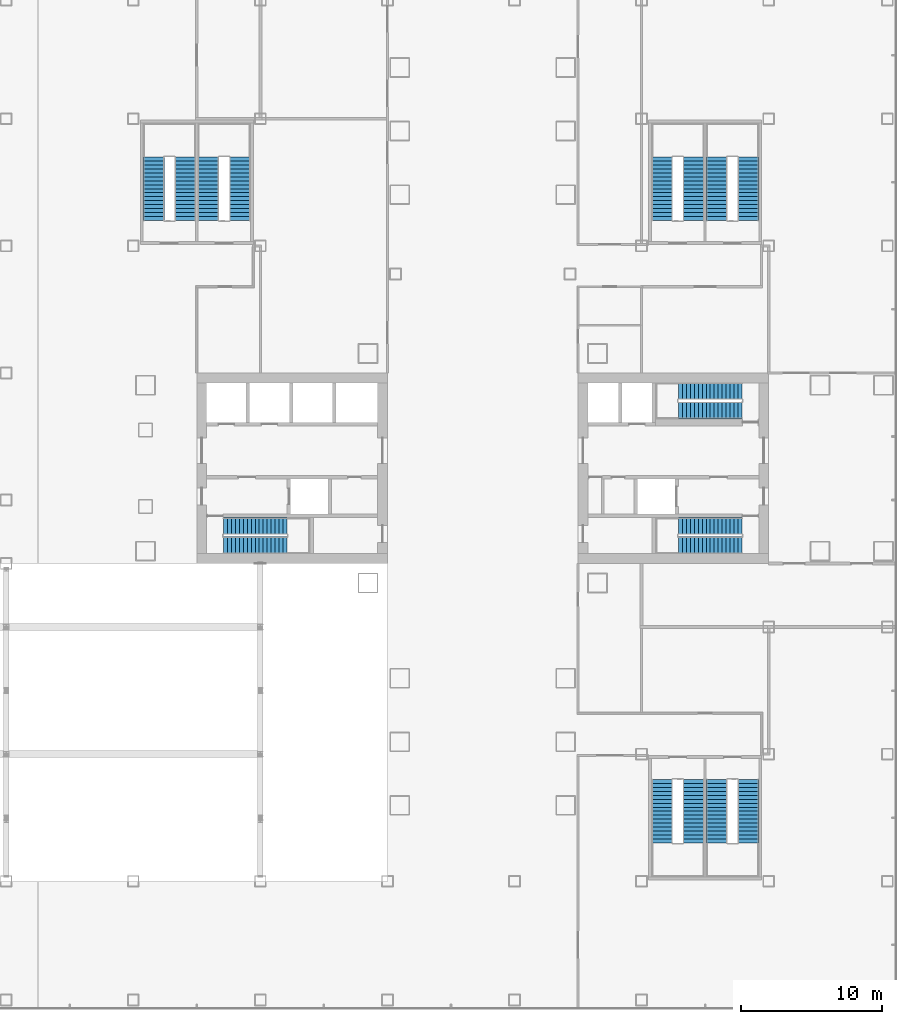
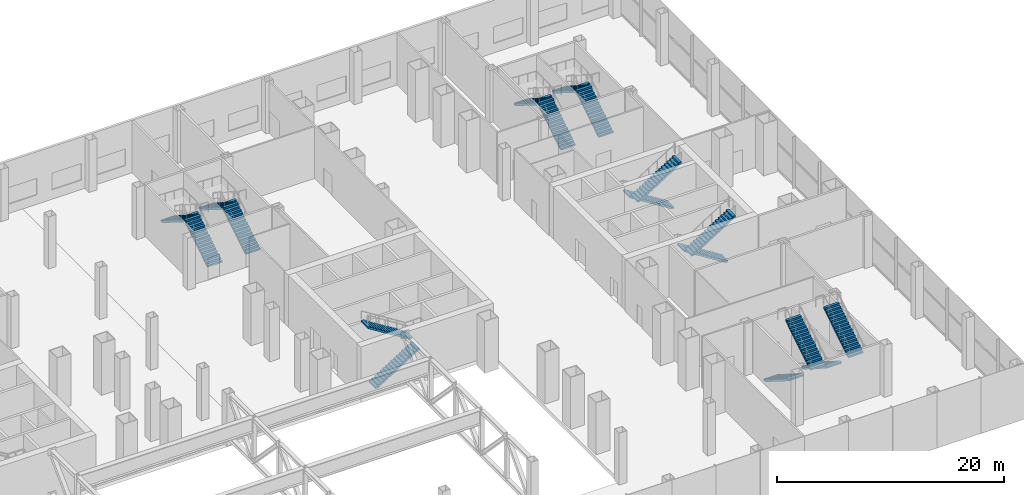
# One storey, part 27 of 33: 18 stair flights, 9 elements without a shape of their own.
"""IFC4 building model written with IfcOpenShell, lengths in metres."""

from ifc_helpers import new_model, si_unit, direction, frame, origin, place, context, subcontext, project, spatial, polyline, outline, extrude, material, type_object, element, aggregate, save


model = new_model("IFC4")

# Units and contexts
model_context = context("Model", 3, precision=1e-05, world=origin(), true_north=direction((0.0, 1.0)))
body_context = subcontext(model_context, "Body", "Model", "MODEL_VIEW")
ifc_project = project(units=[si_unit("LENGTHUNIT", "METRE"), si_unit("AREAUNIT", "SQUARE_METRE"), si_unit("VOLUMEUNIT", "CUBIC_METRE"), si_unit("PLANEANGLEUNIT", "RADIAN"), si_unit("MASSUNIT", "GRAM", prefix="KILO")], contexts=[model_context])

# Site, building, storey
site_placement = place(None, origin())
site = spatial("IfcSite", under=ifc_project, at=site_placement, CompositionType="ELEMENT")
building_placement = place(site_placement, origin())
building = spatial("IfcBuilding", under=site, at=building_placement, Name="Shamsa Quay Exchange Towers", CompositionType="ELEMENT")
storey_placement = place(building_placement, frame((0.0, 0.0, 6.5)))
storey = spatial("IfcBuildingStorey", under=building, at=storey_placement, Name="L01", CompositionType="ELEMENT", Elevation=6.5)

# Stair, stair flights
ifc_material = material(Name="Concrete C40/50", Category="concrete")
stair_type_1 = type_object("IfcStairType", Name="EXIT STAIR 34 RISERS 176 MM", PredefinedType="HALF_TURN_STAIR", material=ifc_material)
stair_1_placement = place(storey_placement, origin())
stair_1 = element("IfcStair", 1, at=stair_1_placement, inside=storey, type_object=stair_type_1, Name="L01 Exit stair ST4", PredefinedType="HALF_TURN_STAIR")
stair_flight_type_1 = type_object("IfcStairFlightType", Name="EXIT STAIR FLIGHT 17 RISERS 176 MM", PredefinedType="STRAIGHT", material=ifc_material)
stair_flight_1_placement = place(storey_placement, frame((15.39990234375, -5.449951171875, 0.0)))
stair_flight_1 = element("IfcStairFlight", 2, at=stair_flight_1_placement, type_object=stair_flight_type_1, Name="ST4 flight 1", NumberOfRisers=17, NumberOfTreads=16, PredefinedType="STRAIGHT", RiserHeight=0.176470588, TreadLength=0.28, context=body_context, shape_type="SweptSolid", body=[
    extrude(outline(polyline([(0.0, 0.0), (0.0, 0.176513671875), (0.280029296875, 0.176513671875), (0.280029296875, 0.35302734375), (0.56005859375, 0.35302734375), (0.56005859375, 0.529296875), (0.840087890625, 0.529296875), (0.840087890625, 0.705810546875), (1.1201171875, 0.705810546875), (1.1201171875, 0.88232421875), (1.39990234375, 0.88232421875), (1.39990234375, 1.058837890625), (1.679931640625, 1.058837890625), (1.679931640625, 1.2353515625), (1.9599609375, 1.2353515625), (1.9599609375, 1.411865234375), (2.239990234375, 1.411865234375), (2.239990234375, 1.588134765625), (2.52001953125, 1.588134765625), (2.52001953125, 1.7646484375), (2.800048828125, 1.7646484375), (2.800048828125, 1.941162109375), (3.080078125, 1.941162109375), (3.080078125, 2.11767578125), (3.360107421875, 2.11767578125), (3.360107421875, 2.294189453125), (3.639892578125, 2.294189453125), (3.639892578125, 2.470703125), (3.919921875, 2.470703125), (3.919921875, 2.64697265625), (4.199951171875, 2.64697265625), (4.199951171875, 2.823486328125), (4.47998046875, 2.823486328125), (4.47998046875, 3.0), (4.47998046875, 2.658203125), (0.262451171875, 0.0), (0.0, 0.0)])), frame((0.0, 0.60009765625, 0.0), z_axis=(0.0, -1.0, 0.0), x_axis=(1.0, 0.0, 0.0)), (0.0, 0.0, 1.0), 1.199951171875),
])
stair_flight_2_placement = place(storey_placement, frame((19.8798828125, -4.10009765625, 3.0), z_axis=(0.0, 0.0, 1.0), x_axis=(-1.0, 0.0, 0.0)))
stair_flight_2 = element("IfcStairFlight", 3, at=stair_flight_2_placement, type_object=stair_flight_type_1, Name="ST4 flight 2", NumberOfRisers=17, NumberOfTreads=16, PredefinedType="STRAIGHT", RiserHeight=0.176470588, TreadLength=0.28, context=body_context, shape_type="SweptSolid", body=[
    extrude(outline(polyline([(0.0, 0.0), (0.0, 0.176513671875), (0.280029296875, 0.176513671875), (0.280029296875, 0.35302734375), (0.56005859375, 0.35302734375), (0.56005859375, 0.529296875), (0.840087890625, 0.529296875), (0.840087890625, 0.705810546875), (1.1201171875, 0.705810546875), (1.1201171875, 0.88232421875), (1.39990234375, 0.88232421875), (1.39990234375, 1.058837890625), (1.679931640625, 1.058837890625), (1.679931640625, 1.2353515625), (1.9599609375, 1.2353515625), (1.9599609375, 1.411865234375), (2.239990234375, 1.411865234375), (2.239990234375, 1.588134765625), (2.52001953125, 1.588134765625), (2.52001953125, 1.7646484375), (2.800048828125, 1.7646484375), (2.800048828125, 1.941162109375), (3.080078125, 1.941162109375), (3.080078125, 2.11767578125), (3.360107421875, 2.11767578125), (3.360107421875, 2.294189453125), (3.639892578125, 2.294189453125), (3.639892578125, 2.470703125), (3.919921875, 2.470703125), (3.919921875, 2.64697265625), (4.199951171875, 2.64697265625), (4.199951171875, 2.823486328125), (4.47998046875, 2.823486328125), (4.47998046875, 3.0), (4.47998046875, 2.658203125), (0.262451171875, 0.0), (0.0, 0.0)])), frame((0.0, 0.60009765625, 0.0), z_axis=(0.0, -1.0, 0.0), x_axis=(1.0, 0.0, 0.0)), (0.0, 0.0, 1.0), 1.199951171875),
])
aggregate(stair_1, [stair_flight_1, stair_flight_2])

stair_2_placement = place(storey_placement, origin())
stair_2 = element("IfcStair", 4, at=stair_2_placement, inside=storey, type_object=stair_type_1, Name="L01 Exit stair ST5", PredefinedType="HALF_TURN_STAIR")
stair_flight_3_placement = place(storey_placement, frame((52.10009765625, -4.10009765625, 0.0), z_axis=(0.0, 0.0, 1.0), x_axis=(-1.0, 0.0, 0.0)))
stair_flight_3 = element("IfcStairFlight", 5, at=stair_flight_3_placement, type_object=stair_flight_type_1, Name="ST5 flight 1", NumberOfRisers=17, NumberOfTreads=16, PredefinedType="STRAIGHT", RiserHeight=0.176470588, TreadLength=0.28, context=body_context, shape_type="SweptSolid", body=[
    extrude(outline(polyline([(0.0, 0.0), (0.0, 0.176513671875), (0.280029296875, 0.176513671875), (0.280029296875, 0.35302734375), (0.56005859375, 0.35302734375), (0.56005859375, 0.529296875), (0.840087890625, 0.529296875), (0.840087890625, 0.705810546875), (1.1201171875, 0.705810546875), (1.1201171875, 0.88232421875), (1.39990234375, 0.88232421875), (1.39990234375, 1.058837890625), (1.679931640625, 1.058837890625), (1.679931640625, 1.2353515625), (1.9599609375, 1.2353515625), (1.9599609375, 1.411865234375), (2.239990234375, 1.411865234375), (2.239990234375, 1.588134765625), (2.52001953125, 1.588134765625), (2.52001953125, 1.7646484375), (2.800048828125, 1.7646484375), (2.800048828125, 1.941162109375), (3.080078125, 1.941162109375), (3.080078125, 2.11767578125), (3.360107421875, 2.11767578125), (3.360107421875, 2.294189453125), (3.639892578125, 2.294189453125), (3.639892578125, 2.470703125), (3.919921875, 2.470703125), (3.919921875, 2.64697265625), (4.199951171875, 2.64697265625), (4.199951171875, 2.823486328125), (4.47998046875, 2.823486328125), (4.47998046875, 3.0), (4.47998046875, 2.658203125), (0.262451171875, 0.0), (0.0, 0.0)])), frame((0.0, 0.60009765625, 0.0), z_axis=(0.0, -1.0, 0.0), x_axis=(1.0, 0.0, 0.0)), (0.0, 0.0, 1.0), 1.199951171875),
])
stair_flight_4_placement = place(storey_placement, frame((47.6201171875, -5.449951171875, 3.0)))
stair_flight_4 = element("IfcStairFlight", 6, at=stair_flight_4_placement, type_object=stair_flight_type_1, Name="ST5 flight 2", NumberOfRisers=17, NumberOfTreads=16, PredefinedType="STRAIGHT", RiserHeight=0.176470588, TreadLength=0.28, context=body_context, shape_type="SweptSolid", body=[
    extrude(outline(polyline([(0.0, 0.0), (0.0, 0.176513671875), (0.280029296875, 0.176513671875), (0.280029296875, 0.35302734375), (0.56005859375, 0.35302734375), (0.56005859375, 0.529296875), (0.840087890625, 0.529296875), (0.840087890625, 0.705810546875), (1.1201171875, 0.705810546875), (1.1201171875, 0.88232421875), (1.39990234375, 0.88232421875), (1.39990234375, 1.058837890625), (1.679931640625, 1.058837890625), (1.679931640625, 1.2353515625), (1.9599609375, 1.2353515625), (1.9599609375, 1.411865234375), (2.239990234375, 1.411865234375), (2.239990234375, 1.588134765625), (2.52001953125, 1.588134765625), (2.52001953125, 1.7646484375), (2.800048828125, 1.7646484375), (2.800048828125, 1.941162109375), (3.080078125, 1.941162109375), (3.080078125, 2.11767578125), (3.360107421875, 2.11767578125), (3.360107421875, 2.294189453125), (3.639892578125, 2.294189453125), (3.639892578125, 2.470703125), (3.919921875, 2.470703125), (3.919921875, 2.64697265625), (4.199951171875, 2.64697265625), (4.199951171875, 2.823486328125), (4.47998046875, 2.823486328125), (4.47998046875, 3.0), (4.47998046875, 2.658203125), (0.262451171875, 0.0), (0.0, 0.0)])), frame((0.0, 0.60009765625, 0.0), z_axis=(0.0, -1.0, 0.0), x_axis=(1.0, 0.0, 0.0)), (0.0, 0.0, 1.0), 1.199951171875),
])
aggregate(stair_2, [stair_flight_3, stair_flight_4])

stair_3_placement = place(storey_placement, origin())
stair_3 = element("IfcStair", 7, at=stair_3_placement, inside=storey, type_object=stair_type_1, Name="L01 Exit stair ST6", PredefinedType="HALF_TURN_STAIR")
stair_flight_5_placement = place(storey_placement, frame((52.10009765625, 5.449951171875, 0.0), z_axis=(0.0, 0.0, 1.0), x_axis=(-1.0, 0.0, 0.0)))
stair_flight_5 = element("IfcStairFlight", 8, at=stair_flight_5_placement, type_object=stair_flight_type_1, Name="ST6 flight 1", NumberOfRisers=17, NumberOfTreads=16, PredefinedType="STRAIGHT", RiserHeight=0.176470588, TreadLength=0.28, context=body_context, shape_type="SweptSolid", body=[
    extrude(outline(polyline([(0.0, 0.0), (0.0, 0.176513671875), (0.280029296875, 0.176513671875), (0.280029296875, 0.35302734375), (0.56005859375, 0.35302734375), (0.56005859375, 0.529296875), (0.840087890625, 0.529296875), (0.840087890625, 0.705810546875), (1.1201171875, 0.705810546875), (1.1201171875, 0.88232421875), (1.39990234375, 0.88232421875), (1.39990234375, 1.058837890625), (1.679931640625, 1.058837890625), (1.679931640625, 1.2353515625), (1.9599609375, 1.2353515625), (1.9599609375, 1.411865234375), (2.239990234375, 1.411865234375), (2.239990234375, 1.588134765625), (2.52001953125, 1.588134765625), (2.52001953125, 1.7646484375), (2.800048828125, 1.7646484375), (2.800048828125, 1.941162109375), (3.080078125, 1.941162109375), (3.080078125, 2.11767578125), (3.360107421875, 2.11767578125), (3.360107421875, 2.294189453125), (3.639892578125, 2.294189453125), (3.639892578125, 2.470703125), (3.919921875, 2.470703125), (3.919921875, 2.64697265625), (4.199951171875, 2.64697265625), (4.199951171875, 2.823486328125), (4.47998046875, 2.823486328125), (4.47998046875, 3.0), (4.47998046875, 2.658203125), (0.262451171875, 0.0), (0.0, 0.0)])), frame((0.0, 0.60009765625, 0.0), z_axis=(0.0, -1.0, 0.0), x_axis=(1.0, 0.0, 0.0)), (0.0, 0.0, 1.0), 1.199951171875),
])
stair_flight_6_placement = place(storey_placement, frame((47.6201171875, 4.10009765625, 3.0)))
stair_flight_6 = element("IfcStairFlight", 9, at=stair_flight_6_placement, type_object=stair_flight_type_1, Name="ST6 flight 2", NumberOfRisers=17, NumberOfTreads=16, PredefinedType="STRAIGHT", RiserHeight=0.176470588, TreadLength=0.28, context=body_context, shape_type="SweptSolid", body=[
    extrude(outline(polyline([(0.0, 0.0), (0.0, 0.176513671875), (0.280029296875, 0.176513671875), (0.280029296875, 0.35302734375), (0.56005859375, 0.35302734375), (0.56005859375, 0.529296875), (0.840087890625, 0.529296875), (0.840087890625, 0.705810546875), (1.1201171875, 0.705810546875), (1.1201171875, 0.88232421875), (1.39990234375, 0.88232421875), (1.39990234375, 1.058837890625), (1.679931640625, 1.058837890625), (1.679931640625, 1.2353515625), (1.9599609375, 1.2353515625), (1.9599609375, 1.411865234375), (2.239990234375, 1.411865234375), (2.239990234375, 1.588134765625), (2.52001953125, 1.588134765625), (2.52001953125, 1.7646484375), (2.800048828125, 1.7646484375), (2.800048828125, 1.941162109375), (3.080078125, 1.941162109375), (3.080078125, 2.11767578125), (3.360107421875, 2.11767578125), (3.360107421875, 2.294189453125), (3.639892578125, 2.294189453125), (3.639892578125, 2.470703125), (3.919921875, 2.470703125), (3.919921875, 2.64697265625), (4.199951171875, 2.64697265625), (4.199951171875, 2.823486328125), (4.47998046875, 2.823486328125), (4.47998046875, 3.0), (4.47998046875, 2.658203125), (0.262451171875, 0.0), (0.0, 0.0)])), frame((0.0, 0.60009765625, 0.0), z_axis=(0.0, -1.0, 0.0), x_axis=(1.0, 0.0, 0.0)), (0.0, 0.0, 1.0), 1.199951171875),
])
aggregate(stair_3, [stair_flight_5, stair_flight_6])

stair_type_2 = type_object("IfcStairType", Name="PODIUM EXIT STAIR 34 RISERS 176 MM 1500 WIDE", PredefinedType="HALF_TURN_STAIR", material=ifc_material)
stair_4_placement = place(storey_placement, origin())
stair_4 = element("IfcStair", 10, at=stair_4_placement, inside=storey, type_object=stair_type_2, Name="L01 Exit stair PS3A", PredefinedType="HALF_TURN_STAIR")
stair_flight_type_2 = type_object("IfcStairFlightType", Name="PODIUM EXIT STAIR FLIGHT 17 RISERS 176 MM 1500 WIDE", PredefinedType="STRAIGHT", material=ifc_material)
stair_flight_7_placement = place(storey_placement, frame((12.675048828125, 17.550048828125, 0.0), z_axis=(0.0, 0.0, 1.0), x_axis=(0.0, 1.0, 0.0)))
stair_flight_7 = element("IfcStairFlight", 11, at=stair_flight_7_placement, type_object=stair_flight_type_2, Name="PS3A flight 1", NumberOfRisers=17, NumberOfTreads=16, PredefinedType="STRAIGHT", RiserHeight=0.176470588, TreadLength=0.28, context=body_context, shape_type="SweptSolid", body=[
    extrude(outline(polyline([(0.0, 0.0), (0.0, 0.176513671875), (0.280029296875, 0.176513671875), (0.280029296875, 0.35302734375), (0.56005859375, 0.35302734375), (0.56005859375, 0.529296875), (0.840087890625, 0.529296875), (0.840087890625, 0.705810546875), (1.1201171875, 0.705810546875), (1.1201171875, 0.88232421875), (1.39990234375, 0.88232421875), (1.39990234375, 1.058837890625), (1.679931640625, 1.058837890625), (1.679931640625, 1.2353515625), (1.9599609375, 1.2353515625), (1.9599609375, 1.411865234375), (2.239990234375, 1.411865234375), (2.239990234375, 1.588134765625), (2.52001953125, 1.588134765625), (2.52001953125, 1.7646484375), (2.800048828125, 1.7646484375), (2.800048828125, 1.941162109375), (3.080078125, 1.941162109375), (3.080078125, 2.11767578125), (3.360107421875, 2.11767578125), (3.360107421875, 2.294189453125), (3.639892578125, 2.294189453125), (3.639892578125, 2.470703125), (3.919921875, 2.470703125), (3.919921875, 2.64697265625), (4.199951171875, 2.64697265625), (4.199951171875, 2.823486328125), (4.47998046875, 2.823486328125), (4.47998046875, 3.0), (4.47998046875, 2.646240234375), (0.28125, 0.0), (0.0, 0.0)])), frame((0.0, 0.75, 0.0), z_axis=(0.0, -1.0, 0.0), x_axis=(1.0, 0.0, 0.0)), (0.0, 0.0, 1.0), 1.5),
])
stair_flight_8_placement = place(storey_placement, frame((10.449951171875, 22.030029296875, 3.0), z_axis=(0.0, 0.0, 1.0), x_axis=(0.0, -1.0, 0.0)))
stair_flight_8 = element("IfcStairFlight", 12, at=stair_flight_8_placement, type_object=stair_flight_type_2, Name="PS3A flight 2", NumberOfRisers=17, NumberOfTreads=16, PredefinedType="STRAIGHT", RiserHeight=0.176470588, TreadLength=0.28, context=body_context, shape_type="SweptSolid", body=[
    extrude(outline(polyline([(0.0, 0.0), (0.0, 0.176513671875), (0.280029296875, 0.176513671875), (0.280029296875, 0.35302734375), (0.56005859375, 0.35302734375), (0.56005859375, 0.529296875), (0.840087890625, 0.529296875), (0.840087890625, 0.705810546875), (1.1201171875, 0.705810546875), (1.1201171875, 0.88232421875), (1.39990234375, 0.88232421875), (1.39990234375, 1.058837890625), (1.679931640625, 1.058837890625), (1.679931640625, 1.2353515625), (1.9599609375, 1.2353515625), (1.9599609375, 1.411865234375), (2.239990234375, 1.411865234375), (2.239990234375, 1.588134765625), (2.52001953125, 1.588134765625), (2.52001953125, 1.7646484375), (2.800048828125, 1.7646484375), (2.800048828125, 1.941162109375), (3.080078125, 1.941162109375), (3.080078125, 2.11767578125), (3.360107421875, 2.11767578125), (3.360107421875, 2.294189453125), (3.639892578125, 2.294189453125), (3.639892578125, 2.470703125), (3.919921875, 2.470703125), (3.919921875, 2.64697265625), (4.199951171875, 2.64697265625), (4.199951171875, 2.823486328125), (4.47998046875, 2.823486328125), (4.47998046875, 3.0), (4.47998046875, 2.646240234375), (0.28125, 0.0), (0.0, 0.0)])), frame((0.0, 0.75, 0.0), z_axis=(0.0, -1.0, 0.0), x_axis=(1.0, 0.0, 0.0)), (0.0, 0.0, 1.0), 1.5),
])
aggregate(stair_4, [stair_flight_7, stair_flight_8])

stair_5_placement = place(storey_placement, origin())
stair_5 = element("IfcStair", 13, at=stair_5_placement, inside=storey, type_object=stair_type_2, Name="L01 Exit stair PS3B", PredefinedType="HALF_TURN_STAIR")
stair_flight_9_placement = place(storey_placement, frame((16.550048828125, 17.550048828125, 0.0), z_axis=(0.0, 0.0, 1.0), x_axis=(0.0, 1.0, 0.0)))
stair_flight_9 = element("IfcStairFlight", 14, at=stair_flight_9_placement, type_object=stair_flight_type_2, Name="PS3B flight 1", NumberOfRisers=17, NumberOfTreads=16, PredefinedType="STRAIGHT", RiserHeight=0.176470588, TreadLength=0.28, context=body_context, shape_type="SweptSolid", body=[
    extrude(outline(polyline([(0.0, 0.0), (0.0, 0.176513671875), (0.280029296875, 0.176513671875), (0.280029296875, 0.35302734375), (0.56005859375, 0.35302734375), (0.56005859375, 0.529296875), (0.840087890625, 0.529296875), (0.840087890625, 0.705810546875), (1.1201171875, 0.705810546875), (1.1201171875, 0.88232421875), (1.39990234375, 0.88232421875), (1.39990234375, 1.058837890625), (1.679931640625, 1.058837890625), (1.679931640625, 1.2353515625), (1.9599609375, 1.2353515625), (1.9599609375, 1.411865234375), (2.239990234375, 1.411865234375), (2.239990234375, 1.588134765625), (2.52001953125, 1.588134765625), (2.52001953125, 1.7646484375), (2.800048828125, 1.7646484375), (2.800048828125, 1.941162109375), (3.080078125, 1.941162109375), (3.080078125, 2.11767578125), (3.360107421875, 2.11767578125), (3.360107421875, 2.294189453125), (3.639892578125, 2.294189453125), (3.639892578125, 2.470703125), (3.919921875, 2.470703125), (3.919921875, 2.64697265625), (4.199951171875, 2.64697265625), (4.199951171875, 2.823486328125), (4.47998046875, 2.823486328125), (4.47998046875, 3.0), (4.47998046875, 2.646240234375), (0.28125, 0.0), (0.0, 0.0)])), frame((0.0, 0.75, 0.0), z_axis=(0.0, -1.0, 0.0), x_axis=(1.0, 0.0, 0.0)), (0.0, 0.0, 1.0), 1.5),
])
stair_flight_10_placement = place(storey_placement, frame((14.324951171875, 22.030029296875, 3.0), z_axis=(0.0, 0.0, 1.0), x_axis=(0.0, -1.0, 0.0)))
stair_flight_10 = element("IfcStairFlight", 15, at=stair_flight_10_placement, type_object=stair_flight_type_2, Name="PS3B flight 2", NumberOfRisers=17, NumberOfTreads=16, PredefinedType="STRAIGHT", RiserHeight=0.176470588, TreadLength=0.28, context=body_context, shape_type="SweptSolid", body=[
    extrude(outline(polyline([(0.0, 0.0), (0.0, 0.176513671875), (0.280029296875, 0.176513671875), (0.280029296875, 0.35302734375), (0.56005859375, 0.35302734375), (0.56005859375, 0.529296875), (0.840087890625, 0.529296875), (0.840087890625, 0.705810546875), (1.1201171875, 0.705810546875), (1.1201171875, 0.88232421875), (1.39990234375, 0.88232421875), (1.39990234375, 1.058837890625), (1.679931640625, 1.058837890625), (1.679931640625, 1.2353515625), (1.9599609375, 1.2353515625), (1.9599609375, 1.411865234375), (2.239990234375, 1.411865234375), (2.239990234375, 1.588134765625), (2.52001953125, 1.588134765625), (2.52001953125, 1.7646484375), (2.800048828125, 1.7646484375), (2.800048828125, 1.941162109375), (3.080078125, 1.941162109375), (3.080078125, 2.11767578125), (3.360107421875, 2.11767578125), (3.360107421875, 2.294189453125), (3.639892578125, 2.294189453125), (3.639892578125, 2.470703125), (3.919921875, 2.470703125), (3.919921875, 2.64697265625), (4.199951171875, 2.64697265625), (4.199951171875, 2.823486328125), (4.47998046875, 2.823486328125), (4.47998046875, 3.0), (4.47998046875, 2.646240234375), (0.28125, 0.0), (0.0, 0.0)])), frame((0.0, 0.75, 0.0), z_axis=(0.0, -1.0, 0.0), x_axis=(1.0, 0.0, 0.0)), (0.0, 0.0, 1.0), 1.5),
])
aggregate(stair_5, [stair_flight_9, stair_flight_10])

stair_6_placement = place(storey_placement, origin())
stair_6 = element("IfcStair", 16, at=stair_6_placement, inside=storey, type_object=stair_type_2, Name="L01 Exit stair PS4A", PredefinedType="HALF_TURN_STAIR")
stair_flight_11_placement = place(storey_placement, frame((48.675048828125, 17.550048828125, 0.0), z_axis=(0.0, 0.0, 1.0), x_axis=(0.0, 1.0, 0.0)))
stair_flight_11 = element("IfcStairFlight", 17, at=stair_flight_11_placement, type_object=stair_flight_type_2, Name="PS4A flight 1", NumberOfRisers=17, NumberOfTreads=16, PredefinedType="STRAIGHT", RiserHeight=0.176470588, TreadLength=0.28, context=body_context, shape_type="SweptSolid", body=[
    extrude(outline(polyline([(0.0, 0.0), (0.0, 0.176513671875), (0.280029296875, 0.176513671875), (0.280029296875, 0.35302734375), (0.56005859375, 0.35302734375), (0.56005859375, 0.529296875), (0.840087890625, 0.529296875), (0.840087890625, 0.705810546875), (1.1201171875, 0.705810546875), (1.1201171875, 0.88232421875), (1.39990234375, 0.88232421875), (1.39990234375, 1.058837890625), (1.679931640625, 1.058837890625), (1.679931640625, 1.2353515625), (1.9599609375, 1.2353515625), (1.9599609375, 1.411865234375), (2.239990234375, 1.411865234375), (2.239990234375, 1.588134765625), (2.52001953125, 1.588134765625), (2.52001953125, 1.7646484375), (2.800048828125, 1.7646484375), (2.800048828125, 1.941162109375), (3.080078125, 1.941162109375), (3.080078125, 2.11767578125), (3.360107421875, 2.11767578125), (3.360107421875, 2.294189453125), (3.639892578125, 2.294189453125), (3.639892578125, 2.470703125), (3.919921875, 2.470703125), (3.919921875, 2.64697265625), (4.199951171875, 2.64697265625), (4.199951171875, 2.823486328125), (4.47998046875, 2.823486328125), (4.47998046875, 3.0), (4.47998046875, 2.646240234375), (0.28125, 0.0), (0.0, 0.0)])), frame((0.0, 0.75, 0.0), z_axis=(0.0, -1.0, 0.0), x_axis=(1.0, 0.0, 0.0)), (0.0, 0.0, 1.0), 1.5),
])
stair_flight_12_placement = place(storey_placement, frame((46.449951171875, 22.030029296875, 3.0), z_axis=(0.0, 0.0, 1.0), x_axis=(0.0, -1.0, 0.0)))
stair_flight_12 = element("IfcStairFlight", 18, at=stair_flight_12_placement, type_object=stair_flight_type_2, Name="PS4A flight 2", NumberOfRisers=17, NumberOfTreads=16, PredefinedType="STRAIGHT", RiserHeight=0.176470588, TreadLength=0.28, context=body_context, shape_type="SweptSolid", body=[
    extrude(outline(polyline([(0.0, 0.0), (0.0, 0.176513671875), (0.280029296875, 0.176513671875), (0.280029296875, 0.35302734375), (0.56005859375, 0.35302734375), (0.56005859375, 0.529296875), (0.840087890625, 0.529296875), (0.840087890625, 0.705810546875), (1.1201171875, 0.705810546875), (1.1201171875, 0.88232421875), (1.39990234375, 0.88232421875), (1.39990234375, 1.058837890625), (1.679931640625, 1.058837890625), (1.679931640625, 1.2353515625), (1.9599609375, 1.2353515625), (1.9599609375, 1.411865234375), (2.239990234375, 1.411865234375), (2.239990234375, 1.588134765625), (2.52001953125, 1.588134765625), (2.52001953125, 1.7646484375), (2.800048828125, 1.7646484375), (2.800048828125, 1.941162109375), (3.080078125, 1.941162109375), (3.080078125, 2.11767578125), (3.360107421875, 2.11767578125), (3.360107421875, 2.294189453125), (3.639892578125, 2.294189453125), (3.639892578125, 2.470703125), (3.919921875, 2.470703125), (3.919921875, 2.64697265625), (4.199951171875, 2.64697265625), (4.199951171875, 2.823486328125), (4.47998046875, 2.823486328125), (4.47998046875, 3.0), (4.47998046875, 2.646240234375), (0.28125, 0.0), (0.0, 0.0)])), frame((0.0, 0.75, 0.0), z_axis=(0.0, -1.0, 0.0), x_axis=(1.0, 0.0, 0.0)), (0.0, 0.0, 1.0), 1.5),
])
aggregate(stair_6, [stair_flight_11, stair_flight_12])

stair_7_placement = place(storey_placement, origin())
stair_7 = element("IfcStair", 19, at=stair_7_placement, inside=storey, type_object=stair_type_2, Name="L01 Exit stair PS4B", PredefinedType="HALF_TURN_STAIR")
stair_flight_13_placement = place(storey_placement, frame((52.550048828125, 17.550048828125, 0.0), z_axis=(0.0, 0.0, 1.0), x_axis=(0.0, 1.0, 0.0)))
stair_flight_13 = element("IfcStairFlight", 20, at=stair_flight_13_placement, type_object=stair_flight_type_2, Name="PS4B flight 1", NumberOfRisers=17, NumberOfTreads=16, PredefinedType="STRAIGHT", RiserHeight=0.176470588, TreadLength=0.28, context=body_context, shape_type="SweptSolid", body=[
    extrude(outline(polyline([(0.0, 0.0), (0.0, 0.176513671875), (0.280029296875, 0.176513671875), (0.280029296875, 0.35302734375), (0.56005859375, 0.35302734375), (0.56005859375, 0.529296875), (0.840087890625, 0.529296875), (0.840087890625, 0.705810546875), (1.1201171875, 0.705810546875), (1.1201171875, 0.88232421875), (1.39990234375, 0.88232421875), (1.39990234375, 1.058837890625), (1.679931640625, 1.058837890625), (1.679931640625, 1.2353515625), (1.9599609375, 1.2353515625), (1.9599609375, 1.411865234375), (2.239990234375, 1.411865234375), (2.239990234375, 1.588134765625), (2.52001953125, 1.588134765625), (2.52001953125, 1.7646484375), (2.800048828125, 1.7646484375), (2.800048828125, 1.941162109375), (3.080078125, 1.941162109375), (3.080078125, 2.11767578125), (3.360107421875, 2.11767578125), (3.360107421875, 2.294189453125), (3.639892578125, 2.294189453125), (3.639892578125, 2.470703125), (3.919921875, 2.470703125), (3.919921875, 2.64697265625), (4.199951171875, 2.64697265625), (4.199951171875, 2.823486328125), (4.47998046875, 2.823486328125), (4.47998046875, 3.0), (4.47998046875, 2.646240234375), (0.28125, 0.0), (0.0, 0.0)])), frame((0.0, 0.75, 0.0), z_axis=(0.0, -1.0, 0.0), x_axis=(1.0, 0.0, 0.0)), (0.0, 0.0, 1.0), 1.5),
])
stair_flight_14_placement = place(storey_placement, frame((50.324951171875, 22.030029296875, 3.0), z_axis=(0.0, 0.0, 1.0), x_axis=(0.0, -1.0, 0.0)))
stair_flight_14 = element("IfcStairFlight", 21, at=stair_flight_14_placement, type_object=stair_flight_type_2, Name="PS4B flight 2", NumberOfRisers=17, NumberOfTreads=16, PredefinedType="STRAIGHT", RiserHeight=0.176470588, TreadLength=0.28, context=body_context, shape_type="SweptSolid", body=[
    extrude(outline(polyline([(0.0, 0.0), (0.0, 0.176513671875), (0.280029296875, 0.176513671875), (0.280029296875, 0.35302734375), (0.56005859375, 0.35302734375), (0.56005859375, 0.529296875), (0.840087890625, 0.529296875), (0.840087890625, 0.705810546875), (1.1201171875, 0.705810546875), (1.1201171875, 0.88232421875), (1.39990234375, 0.88232421875), (1.39990234375, 1.058837890625), (1.679931640625, 1.058837890625), (1.679931640625, 1.2353515625), (1.9599609375, 1.2353515625), (1.9599609375, 1.411865234375), (2.239990234375, 1.411865234375), (2.239990234375, 1.588134765625), (2.52001953125, 1.588134765625), (2.52001953125, 1.7646484375), (2.800048828125, 1.7646484375), (2.800048828125, 1.941162109375), (3.080078125, 1.941162109375), (3.080078125, 2.11767578125), (3.360107421875, 2.11767578125), (3.360107421875, 2.294189453125), (3.639892578125, 2.294189453125), (3.639892578125, 2.470703125), (3.919921875, 2.470703125), (3.919921875, 2.64697265625), (4.199951171875, 2.64697265625), (4.199951171875, 2.823486328125), (4.47998046875, 2.823486328125), (4.47998046875, 3.0), (4.47998046875, 2.646240234375), (0.28125, 0.0), (0.0, 0.0)])), frame((0.0, 0.75, 0.0), z_axis=(0.0, -1.0, 0.0), x_axis=(1.0, 0.0, 0.0)), (0.0, 0.0, 1.0), 1.5),
])
aggregate(stair_7, [stair_flight_13, stair_flight_14])

stair_8_placement = place(storey_placement, origin())
stair_8 = element("IfcStair", 22, at=stair_8_placement, inside=storey, type_object=stair_type_2, Name="L01 Exit stair PS6A", PredefinedType="HALF_TURN_STAIR")
stair_flight_15_placement = place(storey_placement, frame((46.449951171875, -22.050048828125, 0.0), z_axis=(0.0, 0.0, 1.0), x_axis=(0.0, -1.0, 0.0)))
stair_flight_15 = element("IfcStairFlight", 23, at=stair_flight_15_placement, type_object=stair_flight_type_2, Name="PS6A flight 1", NumberOfRisers=17, NumberOfTreads=16, PredefinedType="STRAIGHT", RiserHeight=0.176470588, TreadLength=0.28, context=body_context, shape_type="SweptSolid", body=[
    extrude(outline(polyline([(0.0, 0.0), (0.0, 0.176513671875), (0.280029296875, 0.176513671875), (0.280029296875, 0.35302734375), (0.56005859375, 0.35302734375), (0.56005859375, 0.529296875), (0.840087890625, 0.529296875), (0.840087890625, 0.705810546875), (1.1201171875, 0.705810546875), (1.1201171875, 0.88232421875), (1.39990234375, 0.88232421875), (1.39990234375, 1.058837890625), (1.679931640625, 1.058837890625), (1.679931640625, 1.2353515625), (1.9599609375, 1.2353515625), (1.9599609375, 1.411865234375), (2.239990234375, 1.411865234375), (2.239990234375, 1.588134765625), (2.52001953125, 1.588134765625), (2.52001953125, 1.7646484375), (2.800048828125, 1.7646484375), (2.800048828125, 1.941162109375), (3.080078125, 1.941162109375), (3.080078125, 2.11767578125), (3.360107421875, 2.11767578125), (3.360107421875, 2.294189453125), (3.639892578125, 2.294189453125), (3.639892578125, 2.470703125), (3.919921875, 2.470703125), (3.919921875, 2.64697265625), (4.199951171875, 2.64697265625), (4.199951171875, 2.823486328125), (4.47998046875, 2.823486328125), (4.47998046875, 3.0), (4.47998046875, 2.646240234375), (0.28125, 0.0), (0.0, 0.0)])), frame((0.0, 0.75, 0.0), z_axis=(0.0, -1.0, 0.0), x_axis=(1.0, 0.0, 0.0)), (0.0, 0.0, 1.0), 1.5),
])
stair_flight_16_placement = place(storey_placement, frame((48.675048828125, -26.530029296875, 3.0), z_axis=(0.0, 0.0, 1.0), x_axis=(0.0, 1.0, 0.0)))
stair_flight_16 = element("IfcStairFlight", 24, at=stair_flight_16_placement, type_object=stair_flight_type_2, Name="PS6A flight 2", NumberOfRisers=17, NumberOfTreads=16, PredefinedType="STRAIGHT", RiserHeight=0.176470588, TreadLength=0.28, context=body_context, shape_type="SweptSolid", body=[
    extrude(outline(polyline([(0.0, 0.0), (0.0, 0.176513671875), (0.280029296875, 0.176513671875), (0.280029296875, 0.35302734375), (0.56005859375, 0.35302734375), (0.56005859375, 0.529296875), (0.840087890625, 0.529296875), (0.840087890625, 0.705810546875), (1.1201171875, 0.705810546875), (1.1201171875, 0.88232421875), (1.39990234375, 0.88232421875), (1.39990234375, 1.058837890625), (1.679931640625, 1.058837890625), (1.679931640625, 1.2353515625), (1.9599609375, 1.2353515625), (1.9599609375, 1.411865234375), (2.239990234375, 1.411865234375), (2.239990234375, 1.588134765625), (2.52001953125, 1.588134765625), (2.52001953125, 1.7646484375), (2.800048828125, 1.7646484375), (2.800048828125, 1.941162109375), (3.080078125, 1.941162109375), (3.080078125, 2.11767578125), (3.360107421875, 2.11767578125), (3.360107421875, 2.294189453125), (3.639892578125, 2.294189453125), (3.639892578125, 2.470703125), (3.919921875, 2.470703125), (3.919921875, 2.64697265625), (4.199951171875, 2.64697265625), (4.199951171875, 2.823486328125), (4.47998046875, 2.823486328125), (4.47998046875, 3.0), (4.47998046875, 2.646240234375), (0.28125, 0.0), (0.0, 0.0)])), frame((0.0, 0.75, 0.0), z_axis=(0.0, -1.0, 0.0), x_axis=(1.0, 0.0, 0.0)), (0.0, 0.0, 1.0), 1.5),
])
aggregate(stair_8, [stair_flight_15, stair_flight_16])

stair_9_placement = place(storey_placement, origin())
stair_9 = element("IfcStair", 25, at=stair_9_placement, inside=storey, type_object=stair_type_2, Name="L01 Exit stair PS6B", PredefinedType="HALF_TURN_STAIR")
stair_flight_17_placement = place(storey_placement, frame((50.324951171875, -22.050048828125, 0.0), z_axis=(0.0, 0.0, 1.0), x_axis=(0.0, -1.0, 0.0)))
stair_flight_17 = element("IfcStairFlight", 26, at=stair_flight_17_placement, type_object=stair_flight_type_2, Name="PS6B flight 1", NumberOfRisers=17, NumberOfTreads=16, PredefinedType="STRAIGHT", RiserHeight=0.176470588, TreadLength=0.28, context=body_context, shape_type="SweptSolid", body=[
    extrude(outline(polyline([(0.0, 0.0), (0.0, 0.176513671875), (0.280029296875, 0.176513671875), (0.280029296875, 0.35302734375), (0.56005859375, 0.35302734375), (0.56005859375, 0.529296875), (0.840087890625, 0.529296875), (0.840087890625, 0.705810546875), (1.1201171875, 0.705810546875), (1.1201171875, 0.88232421875), (1.39990234375, 0.88232421875), (1.39990234375, 1.058837890625), (1.679931640625, 1.058837890625), (1.679931640625, 1.2353515625), (1.9599609375, 1.2353515625), (1.9599609375, 1.411865234375), (2.239990234375, 1.411865234375), (2.239990234375, 1.588134765625), (2.52001953125, 1.588134765625), (2.52001953125, 1.7646484375), (2.800048828125, 1.7646484375), (2.800048828125, 1.941162109375), (3.080078125, 1.941162109375), (3.080078125, 2.11767578125), (3.360107421875, 2.11767578125), (3.360107421875, 2.294189453125), (3.639892578125, 2.294189453125), (3.639892578125, 2.470703125), (3.919921875, 2.470703125), (3.919921875, 2.64697265625), (4.199951171875, 2.64697265625), (4.199951171875, 2.823486328125), (4.47998046875, 2.823486328125), (4.47998046875, 3.0), (4.47998046875, 2.646240234375), (0.28125, 0.0), (0.0, 0.0)])), frame((0.0, 0.75, 0.0), z_axis=(0.0, -1.0, 0.0), x_axis=(1.0, 0.0, 0.0)), (0.0, 0.0, 1.0), 1.5),
])
stair_flight_18_placement = place(storey_placement, frame((52.550048828125, -26.530029296875, 3.0), z_axis=(0.0, 0.0, 1.0), x_axis=(0.0, 1.0, 0.0)))
stair_flight_18 = element("IfcStairFlight", 27, at=stair_flight_18_placement, type_object=stair_flight_type_2, Name="PS6B flight 2", NumberOfRisers=17, NumberOfTreads=16, PredefinedType="STRAIGHT", RiserHeight=0.176470588, TreadLength=0.28, context=body_context, shape_type="SweptSolid", body=[
    extrude(outline(polyline([(0.0, 0.0), (0.0, 0.176513671875), (0.280029296875, 0.176513671875), (0.280029296875, 0.35302734375), (0.56005859375, 0.35302734375), (0.56005859375, 0.529296875), (0.840087890625, 0.529296875), (0.840087890625, 0.705810546875), (1.1201171875, 0.705810546875), (1.1201171875, 0.88232421875), (1.39990234375, 0.88232421875), (1.39990234375, 1.058837890625), (1.679931640625, 1.058837890625), (1.679931640625, 1.2353515625), (1.9599609375, 1.2353515625), (1.9599609375, 1.411865234375), (2.239990234375, 1.411865234375), (2.239990234375, 1.588134765625), (2.52001953125, 1.588134765625), (2.52001953125, 1.7646484375), (2.800048828125, 1.7646484375), (2.800048828125, 1.941162109375), (3.080078125, 1.941162109375), (3.080078125, 2.11767578125), (3.360107421875, 2.11767578125), (3.360107421875, 2.294189453125), (3.639892578125, 2.294189453125), (3.639892578125, 2.470703125), (3.919921875, 2.470703125), (3.919921875, 2.64697265625), (4.199951171875, 2.64697265625), (4.199951171875, 2.823486328125), (4.47998046875, 2.823486328125), (4.47998046875, 3.0), (4.47998046875, 2.646240234375), (0.28125, 0.0), (0.0, 0.0)])), frame((0.0, 0.75, 0.0), z_axis=(0.0, -1.0, 0.0), x_axis=(1.0, 0.0, 0.0)), (0.0, 0.0, 1.0), 1.5),
])
aggregate(stair_9, [stair_flight_17, stair_flight_18])

save(model, "model.ifc")
